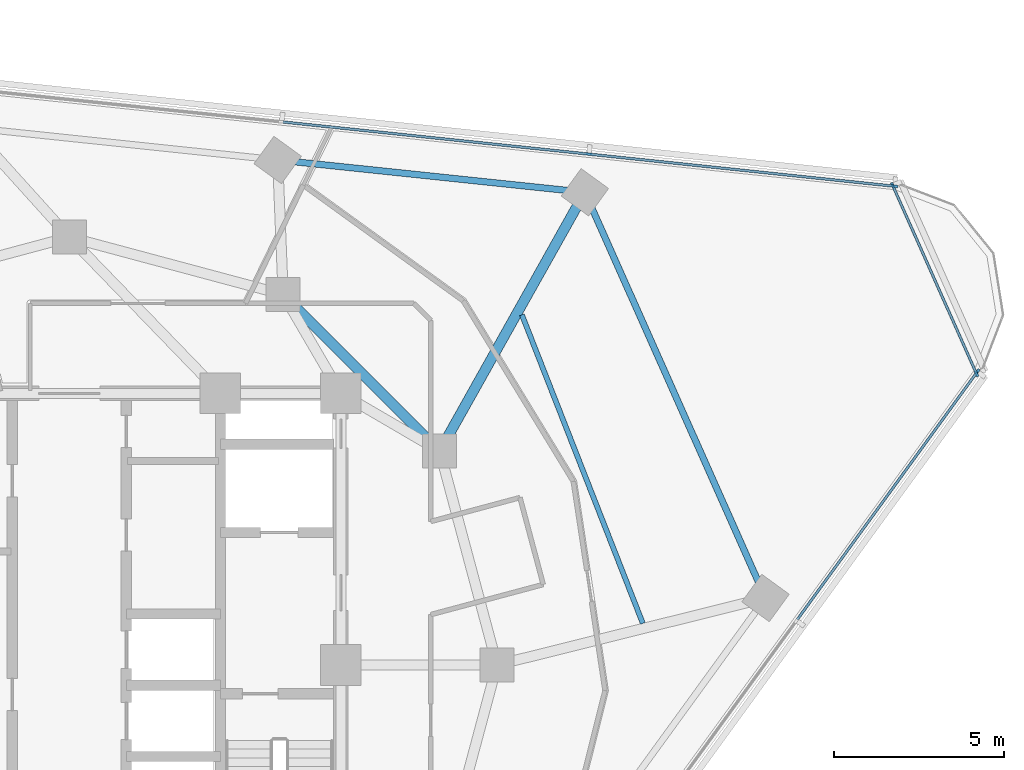
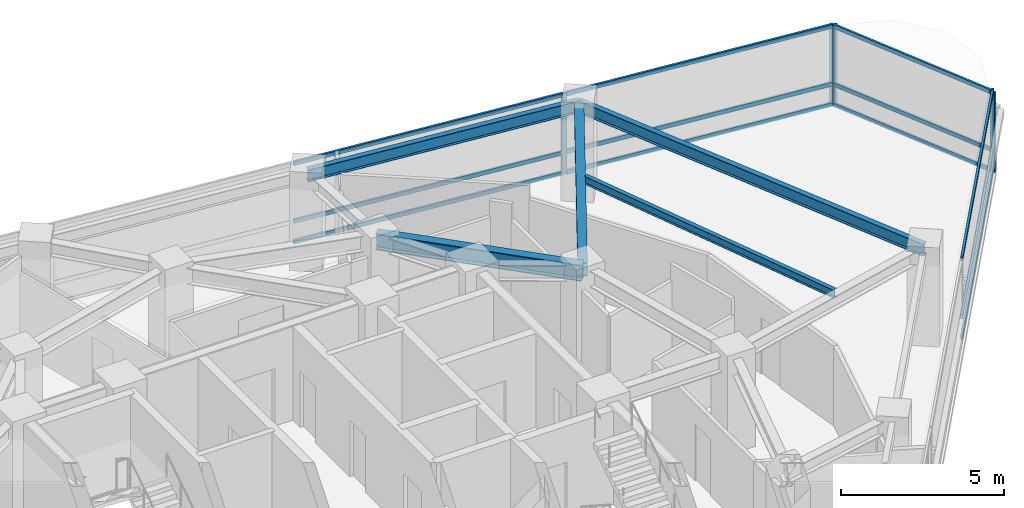
# One storey, part 6 of 15: 17 members, 5 beams, 3 elements without a shape of their own.
"""IFC4 building model written with IfcOpenShell, lengths in metres."""

from ifc_helpers import new_model, si_unit, direction, frame, origin, origin_2d, place, context, subcontext, project, spatial, rectangle, i_section, extrude, material, layer, layer_set, material_profile, profile_set, type_object, element, aggregate, save


model = new_model("IFC4")

# Units and contexts
model_context = context("Model", 3, precision=1e-05, world=origin(), true_north=direction((0.0, 1.0)))
body_context = subcontext(model_context, "Body", "Model", "MODEL_VIEW")
ifc_project = project(units=[si_unit("LENGTHUNIT", "METRE"), si_unit("AREAUNIT", "SQUARE_METRE"), si_unit("VOLUMEUNIT", "CUBIC_METRE"), si_unit("PLANEANGLEUNIT", "RADIAN"), si_unit("MASSUNIT", "GRAM", prefix="KILO")], contexts=[model_context])

# Site, building, storey
site_placement = place(None, origin())
site = spatial("IfcSite", under=ifc_project, at=site_placement, CompositionType="ELEMENT")
building_placement = place(site_placement, origin())
building = spatial("IfcBuilding", under=site, at=building_placement, Name="Terralouvre Media Tower", CompositionType="ELEMENT")
storey_placement = place(building_placement, frame((0.0, 0.0, 237.39990234375)))
storey = spatial("IfcBuildingStorey", under=building, at=storey_placement, Name="L61", CompositionType="ELEMENT", Elevation=237.39990234375)

# Beam
ifc_material_1 = material(Name="Structural steel S355J2", Category="steel")
ifc_material_profile_1 = material_profile(ifc_material_1, i_section(OverallWidth=0.14990234375, OverallDepth=0.300048828125, WebThickness=0.007080078125, FlangeThickness=0.0107421875, at=origin_2d()), Name="IPE 300")
ifc_profile_set_1 = profile_set([ifc_material_profile_1], Name="Structural steel S355J2")
beam_type_1 = type_object("IfcBeamType", Name="Composite Floor Joist J-IPE300 (IPE 300)", PredefinedType="JOIST", material=ifc_profile_set_1)
beam_1_placement = place(storey_placement, frame((16.89599609375, 1.2236328125, 3.35009765625), z_axis=(-0.364828295423, 0.931074817004, 0.0), x_axis=(-0.931074817004, -0.364828295423, 0.0)))
element("IfcBeam", 1, at=beam_1_placement, inside=storey, type_object=beam_type_1, Name="L61 Framing Beam JT-L61-03", PredefinedType="JOIST", context=body_context, shape_type="SweptSolid", body=[
    extrude(i_section(OverallWidth=0.14990234375, OverallDepth=0.300048828125, WebThickness=0.007080078125, FlangeThickness=0.0107421875, at=origin_2d()), origin(), (0.0, 0.0, 1.0), 9.763427734375),
])

# Curtain wall, members
ifc_material_2 = material(Name="Low-iron laminated double glazing with solar-control coating", Category="glass")
ifc_layer_1 = layer(ifc_material_2, 0.1650390625, Name="Upper Executive Tower Curtain Wall CW-05")
ifc_layer_set_1 = layer_set([ifc_layer_1], Name="Low-iron laminated double glazing with solar-control coating")
curtain_wall_type_1 = type_object("IfcCurtainWallType", Name="Upper Executive Tower Curtain Wall CW-05", PredefinedType="NOTDEFINED", material=ifc_layer_set_1)
curtain_wall_1_placement = place(storey_placement, origin())
curtain_wall_1 = element("IfcCurtainWall", 2, at=curtain_wall_1_placement, inside=storey, type_object=curtain_wall_type_1, Name="L61 Facade Curtain Wall F0", PredefinedType="NOTDEFINED")
ifc_material_3 = material(Name="Anodised extruded aluminium 6063-T6", Category="aluminium")
ifc_material_profile_2 = material_profile(ifc_material_3, rectangle(XDim=0.074951171875, YDim=0.14990234375, at=origin_2d()), Name="ALU 75x150")
ifc_profile_set_2 = profile_set([ifc_material_profile_2], Name="Anodised extruded aluminium 6063-T6")
member_type_1 = type_object("IfcMemberType", Name="Curtain-Wall Horizontal Transom TR-150", PredefinedType="USERDEFINED", material=ifc_profile_set_2)
member_1_placement = place(storey_placement, frame((21.446533203125, 1.3369140625, 0.03759765625), z_axis=(0.587787215692, 0.809015567878, 0.0), x_axis=(-0.809015567878, 0.587787215692, 0.0)))
member_1 = element("IfcMember", 3, at=member_1_placement, type_object=member_type_1, Name="CW-05 transom 5.1", ObjectType="TRANSOM", PredefinedType="USERDEFINED", context=body_context, shape_type="SweptSolid", body=[
    extrude(rectangle(XDim=0.074951171875, YDim=0.14990234375, at=origin_2d()), origin(), (0.0, 0.0, 1.0), 8.987548828125),
])
member_2_placement = place(storey_placement, frame((21.446533203125, 1.3369140625, 0.800048828125), z_axis=(0.587787215692, 0.809015567878, 0.0), x_axis=(-0.809015567878, 0.587787215692, 0.0)))
member_2 = element("IfcMember", 4, at=member_2_placement, type_object=member_type_1, Name="CW-05 transom 5.2", ObjectType="TRANSOM", PredefinedType="USERDEFINED", context=body_context, shape_type="SweptSolid", body=[
    extrude(rectangle(XDim=0.074951171875, YDim=0.14990234375, at=origin_2d()), origin(), (0.0, 0.0, 1.0), 8.987548828125),
])
member_3_placement = place(storey_placement, frame((21.446533203125, 1.3369140625, 2.962646484375), z_axis=(0.587787215692, 0.809015567878, 0.0), x_axis=(-0.809015567878, 0.587787215692, 0.0)))
member_3 = element("IfcMember", 5, at=member_3_placement, type_object=member_type_1, Name="CW-05 transom 5.3", ObjectType="TRANSOM", PredefinedType="USERDEFINED", context=body_context, shape_type="SweptSolid", body=[
    extrude(rectangle(XDim=0.074951171875, YDim=0.14990234375, at=origin_2d()), origin(), (0.0, 0.0, 1.0), 8.987548828125),
])

curtain_wall_2_placement = place(storey_placement, origin())
curtain_wall_2 = element("IfcCurtainWall", 6, at=curtain_wall_2_placement, inside=storey, type_object=curtain_wall_type_1, Name="L61 Facade Curtain Wall F1", PredefinedType="NOTDEFINED")
member_4_placement = place(storey_placement, frame((24.2822265625, 14.103759765625, 0.03759765625), z_axis=(-0.994521813919, 0.104529238206, 0.0), x_axis=(-0.104529238206, -0.994521813919, 0.0)))
member_4 = element("IfcMember", 7, at=member_4_placement, type_object=member_type_1, Name="CW-05 transom 1.1", ObjectType="TRANSOM", PredefinedType="USERDEFINED", context=body_context, shape_type="SweptSolid", body=[
    extrude(rectangle(XDim=0.074951171875, YDim=0.14990234375, at=origin_2d()), origin(), (0.0, 0.0, 1.0), 8.987548828125),
])
member_5_placement = place(storey_placement, frame((24.2822265625, 14.103759765625, 0.800048828125), z_axis=(-0.994521813919, 0.104529238206, 0.0), x_axis=(-0.104529238206, -0.994521813919, 0.0)))
member_5 = element("IfcMember", 8, at=member_5_placement, type_object=member_type_1, Name="CW-05 transom 1.2", ObjectType="TRANSOM", PredefinedType="USERDEFINED", context=body_context, shape_type="SweptSolid", body=[
    extrude(rectangle(XDim=0.074951171875, YDim=0.14990234375, at=origin_2d()), origin(), (0.0, 0.0, 1.0), 8.987548828125),
])
member_6_placement = place(storey_placement, frame((24.2822265625, 14.103759765625, 2.962646484375), z_axis=(-0.994521813919, 0.104529238206, 0.0), x_axis=(-0.104529238206, -0.994521813919, 0.0)))
member_6 = element("IfcMember", 9, at=member_6_placement, type_object=member_type_1, Name="CW-05 transom 1.3", ObjectType="TRANSOM", PredefinedType="USERDEFINED", context=body_context, shape_type="SweptSolid", body=[
    extrude(rectangle(XDim=0.074951171875, YDim=0.14990234375, at=origin_2d()), origin(), (0.0, 0.0, 1.0), 8.987548828125),
])
member_7_placement = place(storey_placement, frame((15.26953125, 15.051025390625, 0.03759765625), z_axis=(-0.994522041896, 0.104527069141, 0.0), x_axis=(-0.104527069141, -0.994522041896, 0.0)))
member_7 = element("IfcMember", 10, at=member_7_placement, type_object=member_type_1, Name="CW-05 transom 2.1", ObjectType="TRANSOM", PredefinedType="USERDEFINED", context=body_context, shape_type="SweptSolid", body=[
    extrude(rectangle(XDim=0.074951171875, YDim=0.14990234375, at=origin_2d()), origin(), (0.0, 0.0, 1.0), 9.025146484375),
])
member_8_placement = place(storey_placement, frame((15.26953125, 15.051025390625, 0.800048828125), z_axis=(-0.994522041896, 0.104527069141, 0.0), x_axis=(-0.104527069141, -0.994522041896, 0.0)))
member_8 = element("IfcMember", 11, at=member_8_placement, type_object=member_type_1, Name="CW-05 transom 2.2", ObjectType="TRANSOM", PredefinedType="USERDEFINED", context=body_context, shape_type="SweptSolid", body=[
    extrude(rectangle(XDim=0.074951171875, YDim=0.14990234375, at=origin_2d()), origin(), (0.0, 0.0, 1.0), 9.025146484375),
])
member_9_placement = place(storey_placement, frame((15.26953125, 15.051025390625, 2.962646484375), z_axis=(-0.994522041896, 0.104527069141, 0.0), x_axis=(-0.104527069141, -0.994522041896, 0.0)))
member_9 = element("IfcMember", 12, at=member_9_placement, type_object=member_type_1, Name="CW-05 transom 2.3", ObjectType="TRANSOM", PredefinedType="USERDEFINED", context=body_context, shape_type="SweptSolid", body=[
    extrude(rectangle(XDim=0.074951171875, YDim=0.14990234375, at=origin_2d()), origin(), (0.0, 0.0, 1.0), 9.025146484375),
])

ifc_material_4 = material(Name="Low-iron laminated double glazing with solar-control coating", Category="glass")
ifc_layer_2 = layer(ifc_material_4, 0.1650390625, Name="Rounded Wind-Corner Curved Glazing CW-04")
ifc_layer_set_2 = layer_set([ifc_layer_2], Name="Low-iron laminated double glazing with solar-control coating")
curtain_wall_type_2 = type_object("IfcCurtainWallType", Name="Rounded Wind-Corner Curved Glazing CW-04", PredefinedType="NOTDEFINED", material=ifc_layer_set_2)
curtain_wall_3_placement = place(storey_placement, origin())
curtain_wall_3 = element("IfcCurtainWall", 13, at=curtain_wall_3_placement, inside=storey, type_object=curtain_wall_type_2, Name="L61 Rounded Wind-Corner Curtain Wall C1", PredefinedType="NOTDEFINED")
member_10_placement = place(storey_placement, frame((26.7119140625, 8.609619140625, 0.03759765625), z_axis=(-0.406735002592, 0.913546188031, 0.0), x_axis=(-0.913546188031, -0.406735002592, 0.0)))
member_10 = element("IfcMember", 14, at=member_10_placement, type_object=member_type_1, Name="CW-04 transom 1.1", ObjectType="TRANSOM", PredefinedType="USERDEFINED", context=body_context, shape_type="SweptSolid", body=[
    extrude(rectangle(XDim=0.074951171875, YDim=0.14990234375, at=origin_2d()), origin(), (0.0, 0.0, 1.0), 5.998779296875),
])
member_11_placement = place(storey_placement, frame((26.7119140625, 8.609619140625, 0.800048828125), z_axis=(-0.406735002592, 0.913546188031, 0.0), x_axis=(-0.913546188031, -0.406735002592, 0.0)))
member_11 = element("IfcMember", 15, at=member_11_placement, type_object=member_type_1, Name="CW-04 transom 1.2", ObjectType="TRANSOM", PredefinedType="USERDEFINED", context=body_context, shape_type="SweptSolid", body=[
    extrude(rectangle(XDim=0.074951171875, YDim=0.14990234375, at=origin_2d()), origin(), (0.0, 0.0, 1.0), 5.998779296875),
])
member_12_placement = place(storey_placement, frame((26.7119140625, 8.609619140625, 2.962646484375), z_axis=(-0.406735002592, 0.913546188031, 0.0), x_axis=(-0.913546188031, -0.406735002592, 0.0)))
member_12 = element("IfcMember", 16, at=member_12_placement, type_object=member_type_1, Name="CW-04 transom 1.3", ObjectType="TRANSOM", PredefinedType="USERDEFINED", context=body_context, shape_type="SweptSolid", body=[
    extrude(rectangle(XDim=0.074951171875, YDim=0.14990234375, at=origin_2d()), origin(), (0.0, 0.0, 1.0), 5.998779296875),
])

# Member
ifc_material_5 = material(Name="Anodised extruded aluminium 6063-T6", Category="aluminium")
ifc_material_profile_3 = material_profile(ifc_material_5, rectangle(XDim=0.074951171875, YDim=0.179931640625, at=origin_2d()), Name="ALU 75x180")
ifc_profile_set_3 = profile_set([ifc_material_profile_3], Name="Anodised extruded aluminium 6063-T6")
member_type_2 = type_object("IfcMemberType", Name="Curtain-Wall Vertical Mullion ML-180", PredefinedType="MULLION", material=ifc_profile_set_3)
member_13_placement = place(storey_placement, frame((26.751220703125, 8.63818359375, 0.0), z_axis=(0.0, 0.0, 1.0), x_axis=(-0.809016959074, 0.587785300879, 0.0)))
member_13 = element("IfcMember", 17, at=member_13_placement, type_object=member_type_2, Name="CW-05 mullion 6", PredefinedType="MULLION", context=body_context, shape_type="SweptSolid", body=[
    extrude(rectangle(XDim=0.074951171875, YDim=0.179931640625, at=origin_2d()), origin(), (0.0, 0.0, 1.0), 3.0),
])

aggregate(curtain_wall_1, [member_13, member_1, member_2, member_3])

member_14_placement = place(storey_placement, frame((24.319580078125, 14.099853515625, 0.0), z_axis=(0.0, 0.0, 1.0), x_axis=(-0.104528561651, -0.994521885028, 0.0)))
member_14 = element("IfcMember", 18, at=member_14_placement, type_object=member_type_2, Name="CW-05 mullion 1", PredefinedType="MULLION", context=body_context, shape_type="SweptSolid", body=[
    extrude(rectangle(XDim=0.074951171875, YDim=0.179931640625, at=origin_2d()), origin(), (0.0, 0.0, 1.0), 3.0),
])

member_15_placement = place(storey_placement, frame((15.306640625, 15.047119140625, 0.0), z_axis=(0.0, 0.0, 1.0), x_axis=(-0.104528561651, -0.994521885028, 0.0)))
member_15 = element("IfcMember", 19, at=member_15_placement, type_object=member_type_2, Name="CW-05 mullion 2", PredefinedType="MULLION", context=body_context, shape_type="SweptSolid", body=[
    extrude(rectangle(XDim=0.074951171875, YDim=0.179931640625, at=origin_2d()), origin(), (0.0, 0.0, 1.0), 3.0),
])

aggregate(curtain_wall_2, [member_14, member_15, member_4, member_5, member_6, member_7, member_8, member_9])

member_16_placement = place(storey_placement, frame((26.727294921875, 8.575439453125, 0.0), z_axis=(0.0, 0.0, 1.0), x_axis=(-0.913545102243, -0.406737441315, 0.0)))
member_16 = element("IfcMember", 20, at=member_16_placement, type_object=member_type_2, Name="CW-04 mullion 1", PredefinedType="MULLION", context=body_context, shape_type="SweptSolid", body=[
    extrude(rectangle(XDim=0.074951171875, YDim=0.179931640625, at=origin_2d()), origin(), (0.0, 0.0, 1.0), 3.0),
])

member_17_placement = place(storey_placement, frame((24.2568359375, 14.1240234375, 0.0), z_axis=(0.0, 0.0, 1.0), x_axis=(-0.913545102243, -0.406737441315, 0.0)))
member_17 = element("IfcMember", 21, at=member_17_placement, type_object=member_type_2, Name="CW-04 mullion 2", PredefinedType="MULLION", context=body_context, shape_type="SweptSolid", body=[
    extrude(rectangle(XDim=0.074951171875, YDim=0.179931640625, at=origin_2d()), origin(), (0.0, 0.0, 1.0), 3.0),
])

aggregate(curtain_wall_3, [member_16, member_17, member_10, member_11, member_12])

# Beams
ifc_material_6 = material(Name="Structural steel S355J2", Category="steel")
ifc_material_profile_4 = material_profile(ifc_material_6, i_section(OverallWidth=0.18994140625, OverallDepth=0.449951171875, WebThickness=0.009521484375, FlangeThickness=0.0146484375, at=origin_2d()), Name="IPE 450")
ifc_profile_set_4 = profile_set([ifc_material_profile_4], Name="Structural steel S355J2")
beam_type_2 = type_object("IfcBeamType", Name="Perimeter Spandrel Beam SPB-450 (IPE 450)", PredefinedType="SPANDREL", material=ifc_profile_set_4)
beam_2_placement = place(storey_placement, frame((20.51025390625, 1.970703125, 3.275146484375), z_axis=(-0.406744336382, 0.913542032323, 0.0), x_axis=(-0.913542032323, -0.406744336382, 0.0)))
element("IfcBeam", 22, at=beam_2_placement, inside=storey, type_object=beam_type_2, Name="L61 Framing Beam BM-L61-PR07", PredefinedType="SPANDREL", context=body_context, shape_type="SweptSolid", body=[
    extrude(i_section(OverallWidth=0.18994140625, OverallDepth=0.449951171875, WebThickness=0.009521484375, FlangeThickness=0.0146484375, at=origin_2d()), origin(), (0.0, 0.0, 1.0), 13.083740234375),
])
beam_3_placement = place(storey_placement, frame((15.1884765625, 13.92333984375, 3.275146484375), z_axis=(-0.994522199081, 0.104525573596, 0.0), x_axis=(-0.104525573596, -0.994522199081, 0.0)))
element("IfcBeam", 23, at=beam_3_placement, inside=storey, type_object=beam_type_2, Name="L61 Framing Beam BM-L61-PR08", PredefinedType="SPANDREL", context=body_context, shape_type="SweptSolid", body=[
    extrude(i_section(OverallWidth=0.18994140625, OverallDepth=0.449951171875, WebThickness=0.009521484375, FlangeThickness=0.0146484375, at=origin_2d()), origin(), (0.0, 0.0, 1.0), 9.099853515625),
])
ifc_material_7 = material(Name="Structural steel S355J2", Category="steel")
ifc_material_profile_5 = material_profile(ifc_material_7, i_section(OverallWidth=0.300048828125, OverallDepth=0.5, WebThickness=0.014404296875, FlangeThickness=0.028076171875, at=origin_2d()), Name="HEB 500")
ifc_profile_set_5 = profile_set([ifc_material_profile_5], Name="Structural steel S355J2")
beam_type_3 = type_object("IfcBeamType", Name="Primary Floor Girder B-HEB500 (HEB 500)", PredefinedType="BEAM", material=ifc_profile_set_5)
beam_4_placement = place(storey_placement, frame((10.911865234375, 6.300048828125, 3.25), z_axis=(0.489262374018, 0.872136646042, 0.0), x_axis=(-0.872136646042, 0.489262374018, 0.0)))
element("IfcBeam", 24, at=beam_4_placement, inside=storey, type_object=beam_type_3, Name="L61 Framing Beam BM-L61-RD08", PredefinedType="BEAM", context=body_context, shape_type="SweptSolid", body=[
    extrude(i_section(OverallWidth=0.300048828125, OverallDepth=0.5, WebThickness=0.014404296875, FlangeThickness=0.028076171875, at=origin_2d()), origin(), (0.0, 0.0, 1.0), 8.740966796875),
])
ifc_material_8 = material(Name="Structural steel S460M", Category="steel")
ifc_material_profile_6 = material_profile(ifc_material_8, i_section(OverallWidth=0.300048828125, OverallDepth=0.60009765625, WebThickness=0.015380859375, FlangeThickness=0.030029296875, at=origin_2d()), Name="HEB 600")
ifc_profile_set_6 = profile_set([ifc_material_profile_6], Name="Structural steel S460M")
beam_type_4 = type_object("IfcBeamType", Name="Primary Floor Girder B-HEB600 (HEB 600)", PredefinedType="BEAM", material=ifc_profile_set_6)
beam_5_placement = place(storey_placement, frame((10.911865234375, 6.300048828125, 3.2001953125), z_axis=(-0.707106781187, 0.707106781187, 0.0), x_axis=(-0.707106781187, -0.707106781187, 0.0)))
element("IfcBeam", 25, at=beam_5_placement, inside=storey, type_object=beam_type_4, Name="L61 Framing Beam BM-L61-MR07", PredefinedType="BEAM", context=body_context, shape_type="SweptSolid", body=[
    extrude(i_section(OverallWidth=0.300048828125, OverallDepth=0.60009765625, WebThickness=0.015380859375, FlangeThickness=0.030029296875, at=origin_2d()), origin(), (0.0, 0.0, 1.0), 6.52197265625),
])

save(model, "model.ifc")
